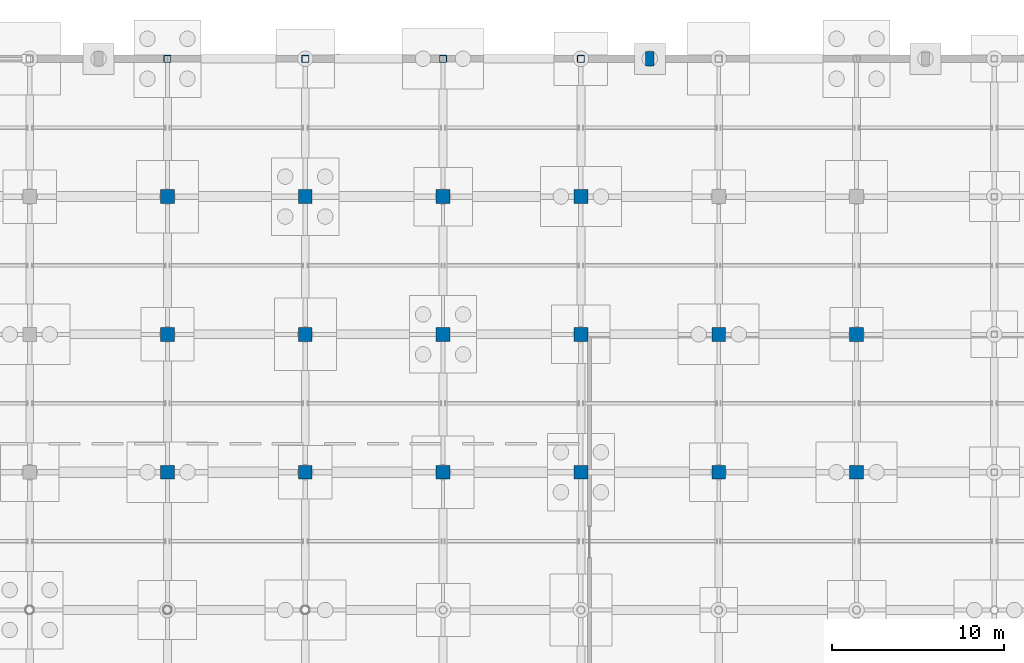
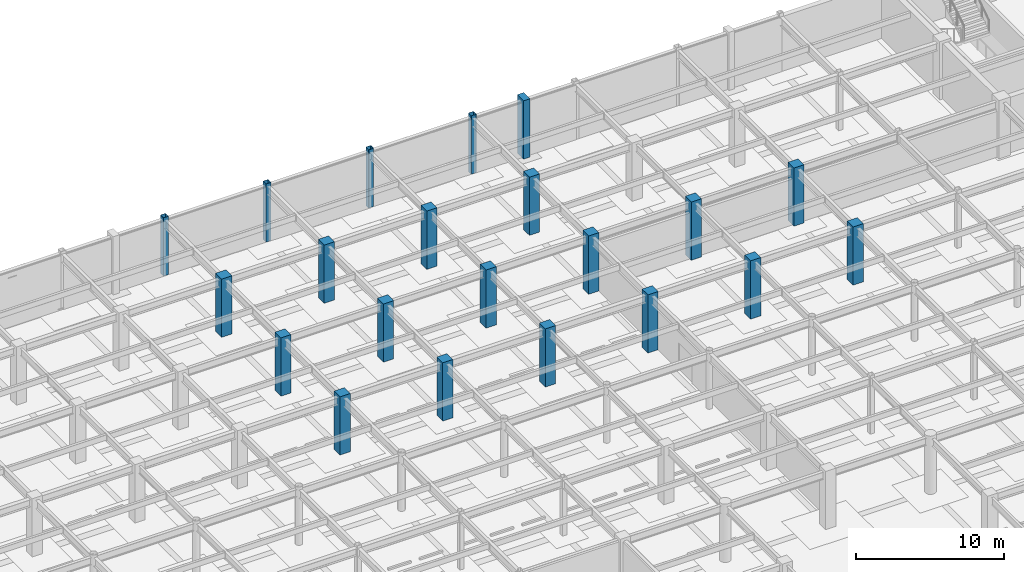
# One storey, part 33 of 105: 21 columns.
"""IFC4 building model written with IfcOpenShell, lengths in metres."""

from ifc_helpers import new_model, si_unit, direction, frame, origin, origin_2d, place, context, subcontext, project, spatial, rectangle, hollow_rectangle, extrude, material, material_profile, profile_set, type_object, element, save


model = new_model("IFC4")

# Units and contexts
model_context = context("Model", 3, precision=1e-05, world=origin(), true_north=direction((0.0, 1.0)))
body_context = subcontext(model_context, "Body", "Model", "MODEL_VIEW")
ifc_project = project(units=[si_unit("LENGTHUNIT", "METRE"), si_unit("AREAUNIT", "SQUARE_METRE"), si_unit("VOLUMEUNIT", "CUBIC_METRE"), si_unit("PLANEANGLEUNIT", "RADIAN"), si_unit("MASSUNIT", "GRAM", prefix="KILO")], contexts=[model_context])

# Site, building, storey
site_placement = place(None, origin())
site = spatial("IfcSite", under=ifc_project, at=site_placement, CompositionType="ELEMENT")
building_placement = place(site_placement, origin())
building = spatial("IfcBuilding", under=site, at=building_placement, Name="Solmirada Galleria", CompositionType="ELEMENT")
storey_placement = place(building_placement, frame((0.0, 0.0, -4.800048828125)))
storey = spatial("IfcBuildingStorey", under=building, at=storey_placement, Name="B1", CompositionType="ELEMENT", Elevation=-4.800048828125)

# Columns
ifc_material_1 = material(Name="Steel S355 / ASTM A500 Grade C", Category="steel")
ifc_material_profile_1 = material_profile(ifc_material_1, hollow_rectangle(XDim=0.406005859375, YDim=0.406005859375, WallThickness=0.0146484375, InnerFilletRadius=0.0146484375, OuterFilletRadius=0.029296875, at=origin_2d()), Name="HSS16X16X5/8")
ifc_profile_set_1 = profile_set([ifc_material_profile_1], Name="Steel S355 / ASTM A500 Grade C")
column_type_1 = type_object("IfcColumnType", Name="COL-HSS16", PredefinedType="COLUMN", material=ifc_profile_set_1)
for number, where, z_axis, x_axis, name in (
    (1, (72.0, 120.0, 0.0), (0.0, 0.0, 1.0), (1.0, 0.0, 0.0), "Structural column B1-0338"),
    (2, (80.0, 120.0, 0.0), (0.0, 0.0, 1.0), (1.0, 0.0, 0.0), "Structural column B1-0455"),
    (3, (88.0, 120.0, 0.0), (0.0, 0.0, 1.0), (1.0, 0.0, 0.0), "Structural column B1-0577"),
    (4, (96.0, 120.0, 0.0), (0.0, 0.0, 1.0), (1.0, 0.0, 0.0), "Structural column B1-0685"),
):
    element("IfcColumn", number, at=place(storey_placement, frame(where, z_axis=z_axis, x_axis=x_axis)), inside=storey, type_object=column_type_1, Name=name, PredefinedType="COLUMN", context=body_context, shape_type="SweptSolid", body=[
        extrude(hollow_rectangle(XDim=0.406005859375, YDim=0.406005859375, WallThickness=0.0146484375, InnerFilletRadius=0.0146484375, OuterFilletRadius=0.029296875, at=origin_2d()), origin(), (0.0, 0.0, 1.0), 4.800048828125),
    ])
ifc_material_2 = material(Name="Concrete C40/50", Category="concrete")
ifc_material_profile_2 = material_profile(ifc_material_2, rectangle(XDim=0.800048828125, YDim=0.800048828125, at=origin_2d()), Name="RC800X800")
ifc_profile_set_2 = profile_set([ifc_material_profile_2], Name="Concrete C40/50")
column_type_2 = type_object("IfcColumnType", Name="COL-RC800", PredefinedType="COLUMN", material=ifc_profile_set_2)
for number, where, z_axis, x_axis, name in (
    (5, (72.0, 96.0, 0.0), (0.0, 0.0, 1.0), (1.0, 0.0, 0.0), "Structural column B1-0317"),
    (6, (72.0, 104.0, 0.0), (0.0, 0.0, 1.0), (1.0, 0.0, 0.0), "Structural column B1-0324"),
    (7, (72.0, 112.0, 0.0), (0.0, 0.0, 1.0), (1.0, 0.0, 0.0), "Structural column B1-0331"),
    (8, (80.0, 96.0, 0.0), (0.0, 0.0, 1.0), (1.0, 0.0, 0.0), "Structural column B1-0434"),
    (9, (80.0, 104.0, 0.0), (0.0, 0.0, 1.0), (1.0, 0.0, 0.0), "Structural column B1-0441"),
    (10, (80.0, 112.0, 0.0), (0.0, 0.0, 1.0), (1.0, 0.0, 0.0), "Structural column B1-0448"),
    (11, (88.0, 96.0, 0.0), (0.0, 0.0, 1.0), (1.0, 0.0, 0.0), "Structural column B1-0556"),
    (12, (88.0, 104.0, 0.0), (0.0, 0.0, 1.0), (1.0, 0.0, 0.0), "Structural column B1-0563"),
    (13, (88.0, 112.0, 0.0), (0.0, 0.0, 1.0), (1.0, 0.0, 0.0), "Structural column B1-0570"),
    (14, (96.0, 96.0, 0.0), (0.0, 0.0, 1.0), (1.0, 0.0, 0.0), "Structural column B1-0664"),
    (15, (96.0, 104.0, 0.0), (0.0, 0.0, 1.0), (1.0, 0.0, 0.0), "Structural column B1-0671"),
    (16, (96.0, 112.0, 0.0), (0.0, 0.0, 1.0), (1.0, 0.0, 0.0), "Structural column B1-0678"),
    (17, (104.0, 96.0, 0.0), (0.0, 0.0, 1.0), (1.0, 0.0, 0.0), "Structural column B1-0775"),
    (18, (104.0, 104.0, 0.0), (0.0, 0.0, 1.0), (1.0, 0.0, 0.0), "Structural column B1-0782"),
    (19, (112.0, 96.0, 0.0), (0.0, 0.0, 1.0), (1.0, 0.0, 0.0), "Structural column B1-0892"),
    (20, (112.0, 104.0, 0.0), (0.0, 0.0, 1.0), (1.0, 0.0, 0.0), "Structural column B1-0899"),
):
    element("IfcColumn", number, at=place(storey_placement, frame(where, z_axis=z_axis, x_axis=x_axis)), inside=storey, type_object=column_type_2, Name=name, PredefinedType="COLUMN", context=body_context, shape_type="SweptSolid", body=[
        extrude(rectangle(XDim=0.800048828125, YDim=0.800048828125, at=origin_2d()), origin(), (0.0, 0.0, 1.0), 4.800048828125),
    ])
ifc_material_3 = material(Name="Precast concrete C40/50", Category="concrete")
ifc_material_profile_3 = material_profile(ifc_material_3, rectangle(XDim=0.5, YDim=0.85009765625, at=origin_2d()), Name="RC850X500")
ifc_profile_set_3 = profile_set([ifc_material_profile_3], Name="Precast concrete C40/50")
column_type_3 = type_object("IfcColumnType", Name="PIL-RC850", PredefinedType="PILASTER", material=ifc_profile_set_3)
column_placement = place(storey_placement, frame((100.0, 120.0, 0.0), z_axis=(0.0, 0.0, 1.0), x_axis=(1.0, 0.0, 0.0)))
element("IfcColumn", 21, at=column_placement, inside=storey, type_object=column_type_3, Name="Avenue pilaster B1-009", PredefinedType="PILASTER", context=body_context, shape_type="SweptSolid", body=[
    extrude(rectangle(XDim=0.5, YDim=0.85009765625, at=origin_2d()), origin(), (0.0, 0.0, 1.0), 4.800048828125),
])

save(model, "model.ifc")
